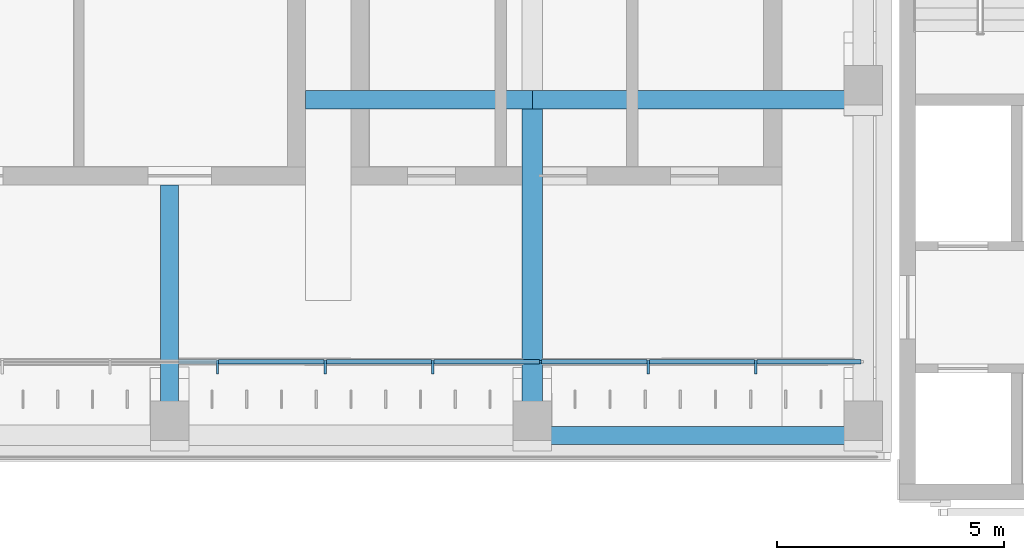
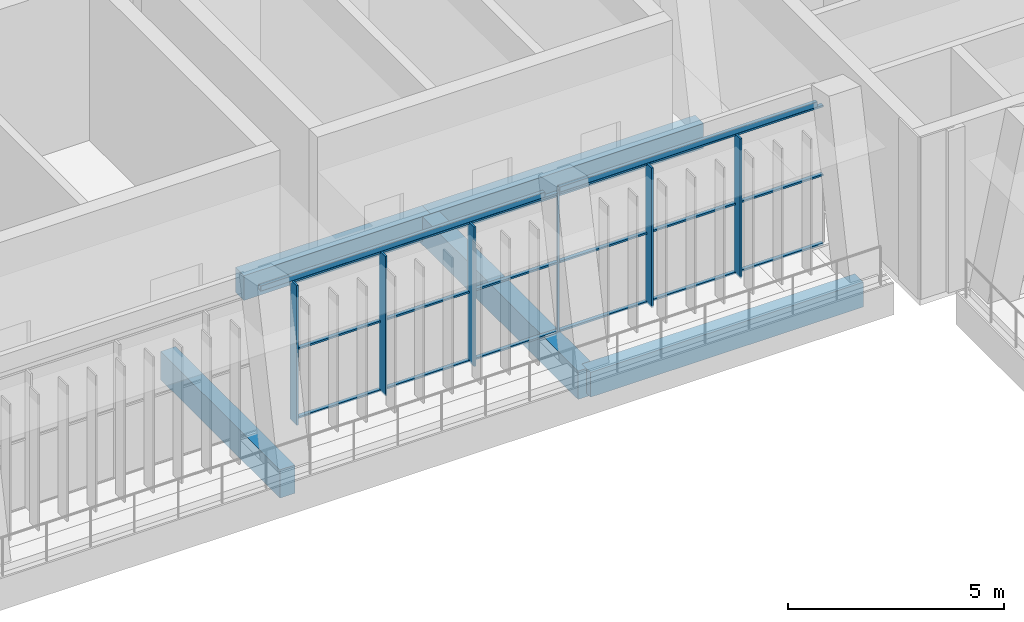
# One storey, part 45 of 92: 24 members, 7 beams, 1 element without a shape of its own.
"""IFC4 building model written with IfcOpenShell, lengths in metres."""

from ifc_helpers import new_model, si_unit, direction, frame, origin, origin_2d, place, context, subcontext, project, spatial, rectangle, hollow_rectangle, extrude, material, material_profile, profile_set, type_object, element, aggregate, save


model = new_model("IFC4")

# Units and contexts
model_context = context("Model", 3, precision=1e-05, world=origin(), true_north=direction((0.0, 1.0)))
body_context = subcontext(model_context, "Body", "Model", "MODEL_VIEW")
ifc_project = project(units=[si_unit("LENGTHUNIT", "METRE"), si_unit("AREAUNIT", "SQUARE_METRE"), si_unit("VOLUMEUNIT", "CUBIC_METRE"), si_unit("PLANEANGLEUNIT", "RADIAN"), si_unit("MASSUNIT", "GRAM", prefix="KILO")], contexts=[model_context])

# Site, building, storey
site_placement = place(None, origin())
site = spatial("IfcSite", under=ifc_project, at=site_placement, CompositionType="ELEMENT")
building_placement = place(site_placement, origin())
building = spatial("IfcBuilding", under=site, at=building_placement, Name="Lantern Court Media Centre", CompositionType="ELEMENT")
storey_placement = place(building_placement, frame((0.0, 0.0, 4.800048828125)))
storey = spatial("IfcBuildingStorey", under=building, at=storey_placement, Name="L01", CompositionType="ELEMENT", Elevation=4.800048828125)

# Curtain wall, members
ifc_material_1 = material(Name="Curtain wall bay 2400")
curtain_wall_type = type_object("IfcCurtainWallType", Name="Curtain wall bay 2400", PredefinedType="NOTDEFINED", material=ifc_material_1)
curtain_wall_placement = place(storey_placement, origin())
curtain_wall = element("IfcCurtainWall", 1, at=curtain_wall_placement, inside=storey, type_object=curtain_wall_type, Name="Curtain wall N inner L01", PredefinedType="NOTDEFINED")
ifc_material_2 = material(Name="Anodised aluminium", Category="aluminium")
ifc_material_profile_1 = material_profile(ifc_material_2, rectangle(XDim=0.300048828125, YDim=0.050048828125, at=origin_2d()), Name="AL 50x300")
ifc_profile_set_1 = profile_set([ifc_material_profile_1], Name="Anodised aluminium")
member_type_1 = type_object("IfcMemberType", Name="Curtain wall mullion 50x300", PredefinedType="MULLION", material=ifc_profile_set_1)
member_1_placement = place(storey_placement, frame((65.056640625, 99.030029296875, 0.0), z_axis=(0.0, 0.0, 1.0), x_axis=(0.0, 1.0, 0.0)))
member_1 = element("IfcMember", 2, at=member_1_placement, type_object=member_type_1, Name="CW2 mullion 18", PredefinedType="MULLION", context=body_context, shape_type="SweptSolid", body=[
    extrude(rectangle(XDim=0.300048828125, YDim=0.050048828125, at=origin_2d()), origin(), (0.0, 0.0, 1.0), 3.949951171875),
])
member_2_placement = place(storey_placement, frame((67.430419921875, 99.030029296875, 0.0), z_axis=(0.0, 0.0, 1.0), x_axis=(0.0, 1.0, 0.0)))
member_2 = element("IfcMember", 3, at=member_2_placement, type_object=member_type_1, Name="CW2 mullion 19", PredefinedType="MULLION", context=body_context, shape_type="SweptSolid", body=[
    extrude(rectangle(XDim=0.300048828125, YDim=0.050048828125, at=origin_2d()), origin(), (0.0, 0.0, 1.0), 3.949951171875),
])
member_3_placement = place(storey_placement, frame((69.804443359375, 99.030029296875, 0.0), z_axis=(0.0, 0.0, 1.0), x_axis=(0.0, 1.0, 0.0)))
member_3 = element("IfcMember", 4, at=member_3_placement, type_object=member_type_1, Name="CW2 mullion 20", PredefinedType="MULLION", context=body_context, shape_type="SweptSolid", body=[
    extrude(rectangle(XDim=0.300048828125, YDim=0.050048828125, at=origin_2d()), origin(), (0.0, 0.0, 1.0), 3.949951171875),
])
member_4_placement = place(storey_placement, frame((74.55224609375, 99.030029296875, 0.0), z_axis=(0.0, 0.0, 1.0), x_axis=(0.0, 1.0, 0.0)))
member_4 = element("IfcMember", 5, at=member_4_placement, type_object=member_type_1, Name="CW2 mullion 22", PredefinedType="MULLION", context=body_context, shape_type="SweptSolid", body=[
    extrude(rectangle(XDim=0.300048828125, YDim=0.050048828125, at=origin_2d()), origin(), (0.0, 0.0, 1.0), 3.949951171875),
])
member_5_placement = place(storey_placement, frame((76.926025390625, 99.030029296875, 0.0), z_axis=(0.0, 0.0, 1.0), x_axis=(0.0, 1.0, 0.0)))
member_5 = element("IfcMember", 6, at=member_5_placement, type_object=member_type_1, Name="CW2 mullion 23", PredefinedType="MULLION", context=body_context, shape_type="SweptSolid", body=[
    extrude(rectangle(XDim=0.300048828125, YDim=0.050048828125, at=origin_2d()), origin(), (0.0, 0.0, 1.0), 3.949951171875),
])
ifc_material_profile_2 = material_profile(ifc_material_2, rectangle(XDim=0.06005859375, YDim=0.050048828125, at=origin_2d()), Name="AL 50x60")
ifc_profile_set_2 = profile_set([ifc_material_profile_2], Name="Anodised aluminium")
member_type_2 = type_object("IfcMemberType", Name="Curtain wall mullion 50x60", PredefinedType="MULLION", material=ifc_profile_set_2)
member_6_placement = place(storey_placement, frame((72.17822265625, 99.14990234375, 0.0), z_axis=(0.0, 0.0, 1.0), x_axis=(0.0, 1.0, 0.0)))
member_6 = element("IfcMember", 7, at=member_6_placement, type_object=member_type_2, Name="CW2 mullion 21", PredefinedType="MULLION", context=body_context, shape_type="SweptSolid", body=[
    extrude(rectangle(XDim=0.06005859375, YDim=0.050048828125, at=origin_2d()), origin(), (0.0, 0.0, 1.0), 3.949951171875),
])
ifc_material_profile_3 = material_profile(ifc_material_2, rectangle(XDim=0.10009765625, YDim=0.050048828125, at=origin_2d()), Name="AL 50x100")
ifc_profile_set_3 = profile_set([ifc_material_profile_3], Name="Anodised aluminium")
member_type_3 = type_object("IfcMemberType", Name="Curtain wall transom 100x50", PredefinedType="USERDEFINED", material=ifc_profile_set_3)
member_7_placement = place(storey_placement, frame((65.08154296875, 99.14990234375, 0.02490234375), z_axis=(1.0, 0.0, 0.0), x_axis=(0.0, 1.0, 0.0)))
member_7 = element("IfcMember", 8, at=member_7_placement, type_object=member_type_3, Name="CW2 transom 18.1", ObjectType="TRANSOM", PredefinedType="USERDEFINED", context=body_context, shape_type="SweptSolid", body=[
    extrude(rectangle(XDim=0.10009765625, YDim=0.050048828125, at=origin_2d()), origin(), (0.0, 0.0, 1.0), 2.323974609375),
])
member_8_placement = place(storey_placement, frame((65.08154296875, 99.14990234375, 1.974853515625), z_axis=(1.0, 0.0, 0.0), x_axis=(0.0, 1.0, 0.0)))
member_8 = element("IfcMember", 9, at=member_8_placement, type_object=member_type_3, Name="CW2 transom 18.2", ObjectType="TRANSOM", PredefinedType="USERDEFINED", context=body_context, shape_type="SweptSolid", body=[
    extrude(rectangle(XDim=0.10009765625, YDim=0.050048828125, at=origin_2d()), origin(), (0.0, 0.0, 1.0), 2.323974609375),
])
member_9_placement = place(storey_placement, frame((65.08154296875, 99.14990234375, 3.925048828125), z_axis=(1.0, 0.0, 0.0), x_axis=(0.0, 1.0, 0.0)))
member_9 = element("IfcMember", 10, at=member_9_placement, type_object=member_type_3, Name="CW2 transom 18.3", ObjectType="TRANSOM", PredefinedType="USERDEFINED", context=body_context, shape_type="SweptSolid", body=[
    extrude(rectangle(XDim=0.10009765625, YDim=0.050048828125, at=origin_2d()), origin(), (0.0, 0.0, 1.0), 2.323974609375),
])
member_10_placement = place(storey_placement, frame((67.455322265625, 99.14990234375, 0.02490234375), z_axis=(1.0, 0.0, 0.0), x_axis=(0.0, 1.0, 0.0)))
member_10 = element("IfcMember", 11, at=member_10_placement, type_object=member_type_3, Name="CW2 transom 19.1", ObjectType="TRANSOM", PredefinedType="USERDEFINED", context=body_context, shape_type="SweptSolid", body=[
    extrude(rectangle(XDim=0.10009765625, YDim=0.050048828125, at=origin_2d()), origin(), (0.0, 0.0, 1.0), 2.323974609375),
])
member_11_placement = place(storey_placement, frame((67.455322265625, 99.14990234375, 1.974853515625), z_axis=(1.0, 0.0, 0.0), x_axis=(0.0, 1.0, 0.0)))
member_11 = element("IfcMember", 12, at=member_11_placement, type_object=member_type_3, Name="CW2 transom 19.2", ObjectType="TRANSOM", PredefinedType="USERDEFINED", context=body_context, shape_type="SweptSolid", body=[
    extrude(rectangle(XDim=0.10009765625, YDim=0.050048828125, at=origin_2d()), origin(), (0.0, 0.0, 1.0), 2.323974609375),
])
member_12_placement = place(storey_placement, frame((67.455322265625, 99.14990234375, 3.925048828125), z_axis=(1.0, 0.0, 0.0), x_axis=(0.0, 1.0, 0.0)))
member_12 = element("IfcMember", 13, at=member_12_placement, type_object=member_type_3, Name="CW2 transom 19.3", ObjectType="TRANSOM", PredefinedType="USERDEFINED", context=body_context, shape_type="SweptSolid", body=[
    extrude(rectangle(XDim=0.10009765625, YDim=0.050048828125, at=origin_2d()), origin(), (0.0, 0.0, 1.0), 2.323974609375),
])
member_13_placement = place(storey_placement, frame((69.829345703125, 99.14990234375, 0.02490234375), z_axis=(1.0, 0.0, 0.0), x_axis=(0.0, 1.0, 0.0)))
member_13 = element("IfcMember", 14, at=member_13_placement, type_object=member_type_3, Name="CW2 transom 20.1", ObjectType="TRANSOM", PredefinedType="USERDEFINED", context=body_context, shape_type="SweptSolid", body=[
    extrude(rectangle(XDim=0.10009765625, YDim=0.050048828125, at=origin_2d()), origin(), (0.0, 0.0, 1.0), 2.323974609375),
])
member_14_placement = place(storey_placement, frame((69.829345703125, 99.14990234375, 1.974853515625), z_axis=(1.0, 0.0, 0.0), x_axis=(0.0, 1.0, 0.0)))
member_14 = element("IfcMember", 15, at=member_14_placement, type_object=member_type_3, Name="CW2 transom 20.2", ObjectType="TRANSOM", PredefinedType="USERDEFINED", context=body_context, shape_type="SweptSolid", body=[
    extrude(rectangle(XDim=0.10009765625, YDim=0.050048828125, at=origin_2d()), origin(), (0.0, 0.0, 1.0), 2.323974609375),
])
member_15_placement = place(storey_placement, frame((69.829345703125, 99.14990234375, 3.925048828125), z_axis=(1.0, 0.0, 0.0), x_axis=(0.0, 1.0, 0.0)))
member_15 = element("IfcMember", 16, at=member_15_placement, type_object=member_type_3, Name="CW2 transom 20.3", ObjectType="TRANSOM", PredefinedType="USERDEFINED", context=body_context, shape_type="SweptSolid", body=[
    extrude(rectangle(XDim=0.10009765625, YDim=0.050048828125, at=origin_2d()), origin(), (0.0, 0.0, 1.0), 2.323974609375),
])
member_16_placement = place(storey_placement, frame((72.203369140625, 99.14990234375, 0.02490234375), z_axis=(1.0, 0.0, 0.0), x_axis=(0.0, 1.0, 0.0)))
member_16 = element("IfcMember", 17, at=member_16_placement, type_object=member_type_3, Name="CW2 transom 21.1", ObjectType="TRANSOM", PredefinedType="USERDEFINED", context=body_context, shape_type="SweptSolid", body=[
    extrude(rectangle(XDim=0.10009765625, YDim=0.050048828125, at=origin_2d()), origin(), (0.0, 0.0, 1.0), 2.32373046875),
])
member_17_placement = place(storey_placement, frame((72.203369140625, 99.14990234375, 1.974853515625), z_axis=(1.0, 0.0, 0.0), x_axis=(0.0, 1.0, 0.0)))
member_17 = element("IfcMember", 18, at=member_17_placement, type_object=member_type_3, Name="CW2 transom 21.2", ObjectType="TRANSOM", PredefinedType="USERDEFINED", context=body_context, shape_type="SweptSolid", body=[
    extrude(rectangle(XDim=0.10009765625, YDim=0.050048828125, at=origin_2d()), origin(), (0.0, 0.0, 1.0), 2.32373046875),
])
member_18_placement = place(storey_placement, frame((72.203369140625, 99.14990234375, 3.925048828125), z_axis=(1.0, 0.0, 0.0), x_axis=(0.0, 1.0, 0.0)))
member_18 = element("IfcMember", 19, at=member_18_placement, type_object=member_type_3, Name="CW2 transom 21.3", ObjectType="TRANSOM", PredefinedType="USERDEFINED", context=body_context, shape_type="SweptSolid", body=[
    extrude(rectangle(XDim=0.10009765625, YDim=0.050048828125, at=origin_2d()), origin(), (0.0, 0.0, 1.0), 2.32373046875),
])
member_19_placement = place(storey_placement, frame((74.5771484375, 99.14990234375, 0.02490234375), z_axis=(1.0, 0.0, 0.0), x_axis=(0.0, 1.0, 0.0)))
member_19 = element("IfcMember", 20, at=member_19_placement, type_object=member_type_3, Name="CW2 transom 22.1", ObjectType="TRANSOM", PredefinedType="USERDEFINED", context=body_context, shape_type="SweptSolid", body=[
    extrude(rectangle(XDim=0.10009765625, YDim=0.050048828125, at=origin_2d()), origin(), (0.0, 0.0, 1.0), 2.323974609375),
])
member_20_placement = place(storey_placement, frame((74.5771484375, 99.14990234375, 1.974853515625), z_axis=(1.0, 0.0, 0.0), x_axis=(0.0, 1.0, 0.0)))
member_20 = element("IfcMember", 21, at=member_20_placement, type_object=member_type_3, Name="CW2 transom 22.2", ObjectType="TRANSOM", PredefinedType="USERDEFINED", context=body_context, shape_type="SweptSolid", body=[
    extrude(rectangle(XDim=0.10009765625, YDim=0.050048828125, at=origin_2d()), origin(), (0.0, 0.0, 1.0), 2.323974609375),
])
member_21_placement = place(storey_placement, frame((74.5771484375, 99.14990234375, 3.925048828125), z_axis=(1.0, 0.0, 0.0), x_axis=(0.0, 1.0, 0.0)))
member_21 = element("IfcMember", 22, at=member_21_placement, type_object=member_type_3, Name="CW2 transom 22.3", ObjectType="TRANSOM", PredefinedType="USERDEFINED", context=body_context, shape_type="SweptSolid", body=[
    extrude(rectangle(XDim=0.10009765625, YDim=0.050048828125, at=origin_2d()), origin(), (0.0, 0.0, 1.0), 2.323974609375),
])
member_22_placement = place(storey_placement, frame((76.951171875, 99.14990234375, 0.02490234375), z_axis=(1.0, 0.0, 0.0), x_axis=(0.0, 1.0, 0.0)))
member_22 = element("IfcMember", 23, at=member_22_placement, type_object=member_type_3, Name="CW2 transom 23.1", ObjectType="TRANSOM", PredefinedType="USERDEFINED", context=body_context, shape_type="SweptSolid", body=[
    extrude(rectangle(XDim=0.10009765625, YDim=0.050048828125, at=origin_2d()), origin(), (0.0, 0.0, 1.0), 2.298828125),
])
member_23_placement = place(storey_placement, frame((76.951171875, 99.14990234375, 1.974853515625), z_axis=(1.0, 0.0, 0.0), x_axis=(0.0, 1.0, 0.0)))
member_23 = element("IfcMember", 24, at=member_23_placement, type_object=member_type_3, Name="CW2 transom 23.2", ObjectType="TRANSOM", PredefinedType="USERDEFINED", context=body_context, shape_type="SweptSolid", body=[
    extrude(rectangle(XDim=0.10009765625, YDim=0.050048828125, at=origin_2d()), origin(), (0.0, 0.0, 1.0), 2.298828125),
])
member_24_placement = place(storey_placement, frame((76.951171875, 99.14990234375, 3.925048828125), z_axis=(1.0, 0.0, 0.0), x_axis=(0.0, 1.0, 0.0)))
member_24 = element("IfcMember", 25, at=member_24_placement, type_object=member_type_3, Name="CW2 transom 23.3", ObjectType="TRANSOM", PredefinedType="USERDEFINED", context=body_context, shape_type="SweptSolid", body=[
    extrude(rectangle(XDim=0.10009765625, YDim=0.050048828125, at=origin_2d()), origin(), (0.0, 0.0, 1.0), 2.298828125),
])
aggregate(curtain_wall, [member_1, member_2, member_3, member_6, member_4, member_5, member_7, member_8, member_9, member_10, member_11, member_12, member_13, member_14, member_15, member_16, member_17, member_18, member_19, member_20, member_21, member_22, member_23, member_24])

# Beams
ifc_material_3 = material(Name="Steel S355J2 (EN 10025-2)", Category="steel")
ifc_material_profile_4 = material_profile(ifc_material_3, hollow_rectangle(XDim=0.10009765625, YDim=0.14990234375, WallThickness=0.00634765625, InnerFilletRadius=0.00634765625, OuterFilletRadius=0.009521484375, at=origin_2d()), Name="Facade head lintel RHS 150x100x6.3")
ifc_profile_set_4 = profile_set([ifc_material_profile_4], Name="Steel S355J2 (EN 10025-2)")
beam_type_1 = type_object("IfcBeamType", Name="Facade head lintel RHS 150x100x6.3", PredefinedType="BEAM", material=ifc_profile_set_4)
beam_1_placement = place(storey_placement, frame((64.199951171875, 99.14990234375, 4.02490234375), z_axis=(1.0, 0.0, 0.0), x_axis=(0.0, 1.0, 0.0)))
element("IfcBeam", 26, at=beam_1_placement, inside=storey, type_object=beam_type_1, Name="Facade head lintel N L01", PredefinedType="BEAM", context=body_context, shape_type="SweptSolid", body=[
    extrude(hollow_rectangle(XDim=0.10009765625, YDim=0.14990234375, WallThickness=0.00634765625, InnerFilletRadius=0.00634765625, OuterFilletRadius=0.009521484375, at=origin_2d()), origin(), (0.0, 0.0, 1.0), 7.60009765625),
])
beam_2_placement = place(storey_placement, frame((72.199951171875, 99.14990234375, 4.02490234375), z_axis=(1.0, 0.0, 0.0), x_axis=(0.0, 1.0, 0.0)))
element("IfcBeam", 27, at=beam_2_placement, inside=storey, type_object=beam_type_1, Name="Facade head lintel N L01", PredefinedType="BEAM", context=body_context, shape_type="SweptSolid", body=[
    extrude(hollow_rectangle(XDim=0.10009765625, YDim=0.14990234375, WallThickness=0.00634765625, InnerFilletRadius=0.00634765625, OuterFilletRadius=0.009521484375, at=origin_2d()), origin(), (0.0, 0.0, 1.0), 6.900146484375),
])
ifc_material_4 = material(Name="Concrete C35", Category="concrete")
ifc_material_profile_5 = material_profile(ifc_material_4, rectangle(XDim=0.39990234375, YDim=0.699951171875, at=origin_2d()), Name="RC 400x700")
ifc_profile_set_5 = profile_set([ifc_material_profile_5], Name="Concrete C35")
beam_type_2 = type_object("IfcBeamType", Name="RC BEAM 400x700", PredefinedType="BEAM", material=ifc_profile_set_5)
beam_3_placement = place(storey_placement, frame((72.0, 97.527099609375, -0.35009765625), z_axis=(1.0, 0.0, 0.0), x_axis=(0.0, 1.0, 0.0)))
element("IfcBeam", 28, at=beam_3_placement, inside=storey, type_object=beam_type_2, Name="LB-N-L01-0-6", PredefinedType="BEAM", context=body_context, shape_type="SweptSolid", body=[
    extrude(rectangle(XDim=0.39990234375, YDim=0.699951171875, at=origin_2d()), origin(), (0.0, 0.0, 1.0), 7.300048828125),
])
beam_4_placement = place(storey_placement, frame((67.0, 104.927001953125, -0.35009765625), z_axis=(1.0, 0.0, 0.0), x_axis=(0.0, 1.0, 0.0)))
element("IfcBeam", 29, at=beam_4_placement, inside=storey, type_object=beam_type_2, Name="LB-N-L01-1-4", PredefinedType="BEAM", context=body_context, shape_type="SweptSolid", body=[
    extrude(rectangle(XDim=0.39990234375, YDim=0.699951171875, at=origin_2d()), origin(), (0.0, 0.0, 1.0), 5.0),
])
beam_5_placement = place(storey_placement, frame((72.0, 104.927001953125, -0.35009765625), z_axis=(1.0, 0.0, 0.0), x_axis=(0.0, 1.0, 0.0)))
element("IfcBeam", 30, at=beam_5_placement, inside=storey, type_object=beam_type_2, Name="LB-N-L01-1-6", PredefinedType="BEAM", context=body_context, shape_type="SweptSolid", body=[
    extrude(rectangle(XDim=0.39990234375, YDim=0.699951171875, at=origin_2d()), origin(), (0.0, 0.0, 1.0), 7.300048828125),
])
ifc_material_profile_6 = material_profile(ifc_material_4, rectangle(XDim=0.39990234375, YDim=0.800048828125, at=origin_2d()), Name="RC 400x800")
ifc_profile_set_6 = profile_set([ifc_material_profile_6], Name="Concrete C35")
beam_type_3 = type_object("IfcBeamType", Name="RC BEAM 400x800", PredefinedType="BEAM", material=ifc_profile_set_6)
beam_6_placement = place(storey_placement, frame((64.0, 97.5166015625, -0.400146484375), z_axis=(0.0, 1.0, 0.0), x_axis=(-1.0, 0.0, 0.0)))
element("IfcBeam", 31, at=beam_6_placement, inside=storey, type_object=beam_type_3, Name="TB-N-L01-5-1", PredefinedType="BEAM", context=body_context, shape_type="SweptSolid", body=[
    extrude(rectangle(XDim=0.39990234375, YDim=0.800048828125, at=origin_2d()), origin(), (0.0, 0.0, 1.0), 5.533447265625),
])
ifc_material_profile_7 = material_profile(ifc_material_4, rectangle(XDim=0.449951171875, YDim=0.800048828125, at=origin_2d()), Name="RC 450x800")
ifc_profile_set_7 = profile_set([ifc_material_profile_7], Name="Concrete C35")
beam_type_4 = type_object("IfcBeamType", Name="RC BEAM 450x800", PredefinedType="BEAM", material=ifc_profile_set_7)
beam_7_placement = place(storey_placement, frame((72.0, 97.5166015625, -0.400146484375), z_axis=(0.0, 1.0, 0.0), x_axis=(-1.0, 0.0, 0.0)))
element("IfcBeam", 32, at=beam_7_placement, inside=storey, type_object=beam_type_4, Name="TB-N-L01-6-1", PredefinedType="BEAM", context=body_context, shape_type="SweptSolid", body=[
    extrude(rectangle(XDim=0.449951171875, YDim=0.800048828125, at=origin_2d()), origin(), (0.0, 0.0, 1.0), 7.400146484375),
])

save(model, "model.ifc")
